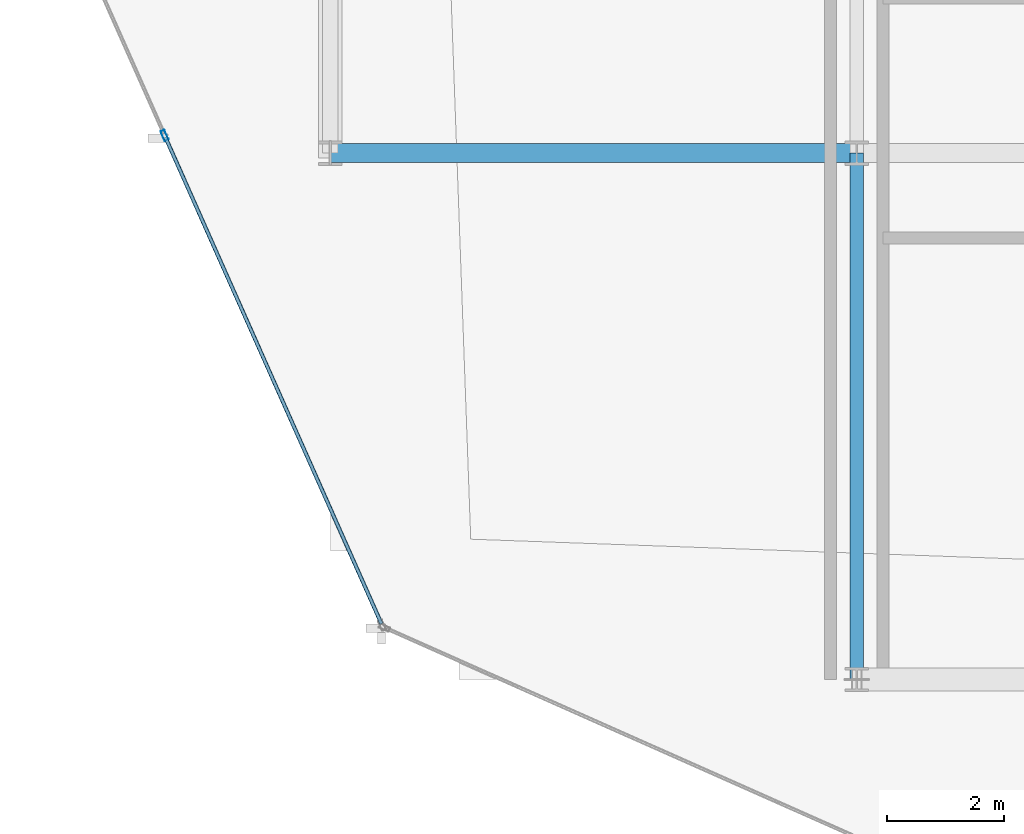
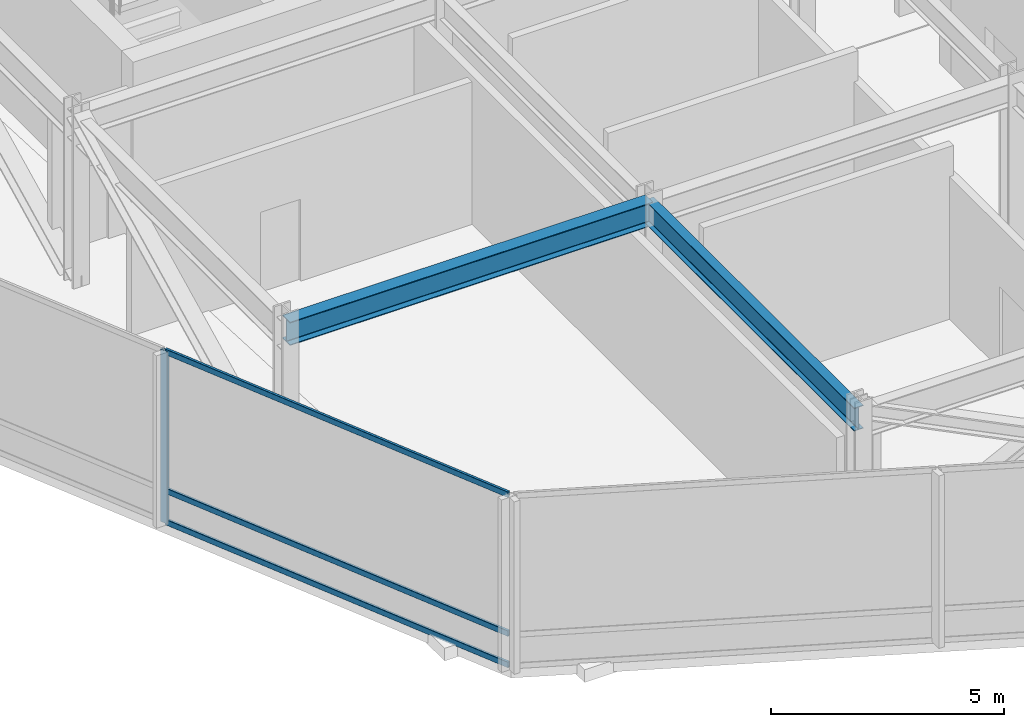
# One storey, part 3 of 30: 4 members, 2 beams, 1 element without a shape of its own.
"""IFC4 building model written with IfcOpenShell, lengths in metres."""

import ifcopenshell
import ifcopenshell.guid

model = None  # the IFC model being written
_history = None  # IfcOwnerHistory: only IFC2X3 demands one
_inside = {}  # id of a spatial element -> (the spatial element, [elements in it])
_under = {}  # id of a project, library or spatial element -> (it, [spatial elements below it])
_declared = {}  # id of a project -> (the project, [libraries it declares])
_typed = {}  # id of a type object -> (the type object, [elements of that type])
_made_of = {}  # id of a material, layer set ... -> (it, [elements and type objects made of it])


def new_model(schema):
    """Start an empty IFC model of exactly this schema.

    Asked for "IFC4X3", IfcOpenShell would pick the latest addendum, in which some entities
    have other attributes; the version numbers below select the first issue.
    IFC2X3 requires an IfcOwnerHistory on every rooted entity: one is made here for all.
    """
    global model, _history
    if schema == "IFC4X3":
        model = ifcopenshell.file(schema_version=(4, 3, 0, 0))
    else:
        model = ifcopenshell.file(schema=schema)
    _inside.clear()
    _under.clear()
    _declared.clear()
    _typed.clear()
    _made_of.clear()
    _history = None
    if model.schema == "IFC2X3":
        org = make("IfcOrganization", Name="unknown")
        user = make(
            "IfcPersonAndOrganization",
            ThePerson=make("IfcPerson", FamilyName="unknown"),
            TheOrganization=org,
        )
        app = make(
            "IfcApplication",
            ApplicationDeveloper=org,
            Version="unknown",
            ApplicationFullName="unknown",
            ApplicationIdentifier="unknown",
        )
        _history = make(
            "IfcOwnerHistory",
            OwningUser=user,
            OwningApplication=app,
            ChangeAction="ADDED",
            CreationDate=0,
        )
    return model


def make(cls, **values):
    """One entity of the class cls with the attributes given. An attribute that is None is left unset."""
    return model.create_entity(
        cls, **{name: value for name, value in values.items() if value is not None}
    )


def rooted(cls, **values):
    """An entity with a GlobalId (a new one), such as an element, a storey or a relation."""
    return make(cls, GlobalId=ifcopenshell.guid.new(), OwnerHistory=_history, **values)


def si_unit(unit_type, name, prefix=None):
    """IfcSIUnit, for example si_unit("LENGTHUNIT", "METRE", prefix="MILLI")."""
    return make("IfcSIUnit", UnitType=unit_type, Prefix=prefix, Name=name)


def assignment(units):
    """IfcUnitAssignment: the units of a project."""
    return None if units is None else make("IfcUnitAssignment", Units=units)


def point(xyz):
    """IfcCartesianPoint."""
    return None if xyz is None else make("IfcCartesianPoint", Coordinates=xyz)


def direction(xyz):
    """IfcDirection."""
    return None if xyz is None else make("IfcDirection", DirectionRatios=xyz)


def frame(location, z_axis=None, x_axis=None):
    """IfcAxis2Placement3D, a coordinate frame: its origin and axes. An axis left out is left unset."""
    return make(
        "IfcAxis2Placement3D",
        Location=point(location),
        Axis=direction(z_axis),
        RefDirection=direction(x_axis),
    )


def frame_2d(location, x_axis=None):
    """IfcAxis2Placement2D, a coordinate frame in the plane: its origin and x axis."""
    return make(
        "IfcAxis2Placement2D", Location=point(location), RefDirection=direction(x_axis)
    )


def origin():
    """The frame at (0, 0, 0) with its axes left unset."""
    return frame((0.0, 0.0, 0.0))


def origin_2d():
    """The frame at (0, 0) in the plane with its x axis left unset."""
    return frame_2d((0.0, 0.0))


def place(relative_to, where):
    """IfcLocalPlacement: puts the frame where relative to a parent placement (None: the world)."""
    return make(
        "IfcLocalPlacement", PlacementRelTo=relative_to, RelativePlacement=where
    )


def context(
    kind, dimensions, precision=None, world=None, true_north=None, identifier=None
):
    """IfcGeometricRepresentationContext, for example the 3D "Model" context."""
    return make(
        "IfcGeometricRepresentationContext",
        ContextIdentifier=identifier,
        ContextType=kind,
        CoordinateSpaceDimension=dimensions,
        Precision=precision,
        WorldCoordinateSystem=world,
        TrueNorth=true_north,
    )


def subcontext(parent, identifier, kind, view, scale=None):
    """IfcGeometricRepresentationSubContext, for example "Body" below "Model"."""
    return make(
        "IfcGeometricRepresentationSubContext",
        ContextIdentifier=identifier,
        ContextType=kind,
        ParentContext=parent,
        TargetScale=scale,
        TargetView=view,
    )


def project(units=None, contexts=None):
    """IfcProject with its units and contexts."""
    return rooted(
        "IfcProject",
        Name="project",
        RepresentationContexts=contexts,
        UnitsInContext=assignment(units),
    )


def spatial(cls, under=None, at=None, **own):
    """A site, building, storey or space (cls), placed at a placement, below another one or the project."""
    s = rooted(cls, ObjectPlacement=at, **own)
    if under is not None:
        _under.setdefault(under.id(), (under, []))[1].append(s)
    return s


def profile(cls, at=None, kind="AREA", **sizes):
    """A parametric profile (cls). Its sizes go by their IFC names, for example OverallWidth=200.0."""
    return make(cls, ProfileType=kind, Position=at, **sizes)


def hollow_rectangle(**sizes):
    """IfcRectangleHollowProfileDef."""
    return profile("IfcRectangleHollowProfileDef", **sizes)


def i_section(**sizes):
    """IfcIShapeProfileDef."""
    return profile("IfcIShapeProfileDef", **sizes)


def extrude(swept, where, along, depth):
    """IfcExtrudedAreaSolid: the profile swept, set in the frame where, extruded along a direction by depth."""
    return make(
        "IfcExtrudedAreaSolid",
        SweptArea=swept,
        Position=where,
        ExtrudedDirection=direction(along),
        Depth=depth,
    )


def shape(context_of_items, identifier, shape_type, items):
    """IfcShapeRepresentation: the items that make up one representation, for example the "Body"."""
    return make(
        "IfcShapeRepresentation",
        ContextOfItems=context_of_items,
        RepresentationIdentifier=identifier,
        RepresentationType=shape_type,
        Items=items,
    )


def material(Name=None, Category=None):
    """IfcMaterial."""
    return make("IfcMaterial", Name=Name, Category=Category)


def layer(
    of_material, thickness, ventilated=None, Name=None, Category=None, Priority=None
):
    """IfcMaterialLayer: one layer of a wall or slab, of a material (None: an air gap)."""
    return make(
        "IfcMaterialLayer",
        Material=of_material,
        LayerThickness=thickness,
        IsVentilated=ventilated,
        Name=Name,
        Category=Category,
        Priority=Priority,
    )


def layer_set(layers, Name=None):
    """IfcMaterialLayerSet."""
    return make("IfcMaterialLayerSet", MaterialLayers=layers, LayerSetName=Name)


def material_profile(
    of_material, cross_section, Name=None, Category=None, Priority=None
):
    """IfcMaterialProfile: a cross section and its material."""
    return make(
        "IfcMaterialProfile",
        Name=Name,
        Material=of_material,
        Profile=cross_section,
        Priority=Priority,
        Category=Category,
    )


def profile_set(profiles, Name=None, composite=None):
    """IfcMaterialProfileSet."""
    return make(
        "IfcMaterialProfileSet",
        Name=Name,
        MaterialProfiles=profiles,
        CompositeProfile=composite,
    )


def made_of(thing, what):
    """Note that an element or type object is made of a material, layer set ...; save() writes the relation."""
    if what is not None:
        _made_of.setdefault(what.id(), (what, []))[1].append(thing)
    return thing


def type_object(cls, material=None, **own):
    """A type object (cls), such as IfcWallType, which elements share."""
    return made_of(rooted(cls, **own), material)


def element(
    cls,
    number,
    at=None,
    inside=None,
    cuts=None,
    type_object=None,
    material=None,
    context=None,
    identifier="Body",
    shape_type=None,
    held_by="IfcProductDefinitionShape",
    body=None,
    shapes=None,
    **own,
):
    """One element of the class cls, such as IfcWall. Its Tag is "e" and its number.

    at: its placement. inside: the storey or other place that contains it. cuts: it is an
    opening in that element (IfcRelVoidsElement). A single representation is given by context,
    identifier, shape_type and body (its items); several are given by shapes. held_by: the class
    of the entity that holds the representations. save() writes the other relations.
    """
    e = rooted(cls, Tag="e%d" % number, ObjectPlacement=at, **own)
    if body is not None:
        shapes = [shape(context, identifier, shape_type, body)]
    if shapes is not None:
        e.Representation = make(held_by, Representations=shapes)
    if inside is not None:
        _inside.setdefault(inside.id(), (inside, []))[1].append(e)
    if cuts is not None:
        rooted(
            "IfcRelVoidsElement", RelatingBuildingElement=cuts, RelatedOpeningElement=e
        )
    if type_object is not None:
        _typed.setdefault(type_object.id(), (type_object, []))[1].append(e)
    return made_of(e, material)


def aggregate(whole, parts):
    """IfcRelAggregates: a whole, such as a stair, and the parts it consists of."""
    return rooted("IfcRelAggregates", RelatingObject=whole, RelatedObjects=parts)


def save(model, path):
    """Write the relations noted so far, then the file.

    IfcRelAggregates (storeys below a building ...), IfcRelContainedInSpatialStructure (elements
    in a storey), IfcRelDefinesByType, IfcRelAssociatesMaterial and IfcRelDeclares: one each for
    every whole, place, type object, material and project.
    """
    for whole, parts in _under.values():
        aggregate(whole, parts)
    for where, things in _inside.values():
        rooted(
            "IfcRelContainedInSpatialStructure",
            RelatedElements=things,
            RelatingStructure=where,
        )
    for kind, things in _typed.values():
        rooted("IfcRelDefinesByType", RelatedObjects=things, RelatingType=kind)
    for what, things in _made_of.values():
        rooted("IfcRelAssociatesMaterial", RelatedObjects=things, RelatingMaterial=what)
    for by, libraries in _declared.values():
        rooted("IfcRelDeclares", RelatingContext=by, RelatedDefinitions=libraries)
    model.write(path)


model = new_model("IFC4")

# Units and contexts
model_context = context("Model", 3, precision=1e-05, world=origin(), true_north=direction((0.0, 1.0)))
body_context = subcontext(model_context, "Body", "Model", "MODEL_VIEW")
ifc_project = project(units=[si_unit("LENGTHUNIT", "METRE"), si_unit("AREAUNIT", "SQUARE_METRE"), si_unit("VOLUMEUNIT", "CUBIC_METRE"), si_unit("PLANEANGLEUNIT", "RADIAN"), si_unit("MASSUNIT", "GRAM", prefix="KILO")], contexts=[model_context])

# Site, building, storey
site_placement = place(None, origin())
site = spatial("IfcSite", under=ifc_project, at=site_placement, CompositionType="ELEMENT")
building_placement = place(site_placement, origin())
building = spatial("IfcBuilding", under=site, at=building_placement, Name="Solvaryn Broadcast Tower", CompositionType="ELEMENT")
storey_placement = place(building_placement, frame((0.0, 0.0, 196.39990234375)))
storey = spatial("IfcBuildingStorey", under=building, at=storey_placement, Name="L49", CompositionType="ELEMENT", Elevation=196.39990234375)

# Beams
ifc_material_1 = material(Name="Steel ASTM A992 Grade 50", Category="steel")
ifc_material_profile_1 = material_profile(ifc_material_1, i_section(OverallWidth=0.323974609375, OverallDepth=0.611083984375, WebThickness=0.0126953125, FlangeThickness=0.01904296875, FilletRadius=0.014892578125, at=origin_2d()))
ifc_profile_set_1 = profile_set([ifc_material_profile_1], Name="Steel ASTM A992 Grade 50")
beam_type_1 = type_object("IfcBeamType", Name="BM-B1-W24X104", PredefinedType="BEAM", material=ifc_profile_set_1)
beam_1_placement = place(storey_placement, frame((9.0, 18.0, 4.214599609375), z_axis=(1.0, 0.0, 0.0), x_axis=(0.0, 1.0, 0.0)))
element("IfcBeam", 1, at=beam_1_placement, inside=storey, type_object=beam_type_1, Name="L49 Primary Beam X (9-18 @ Y=18)", PredefinedType="BEAM", context=body_context, shape_type="SweptSolid", body=[
    extrude(i_section(OverallWidth=0.323974609375, OverallDepth=0.611083984375, WebThickness=0.0126953125, FlangeThickness=0.01904296875, FilletRadius=0.014892578125, at=origin_2d()), origin(), (0.0, 0.0, 1.0), 9.0),
])
ifc_material_2 = material(Name="Steel ASTM A992 Grade 50", Category="steel")
ifc_material_profile_2 = material_profile(ifc_material_2, i_section(OverallWidth=0.22802734375, OverallDepth=0.60791015625, WebThickness=0.01123046875, FlangeThickness=0.017333984375, FilletRadius=0.014892578125, at=origin_2d()))
ifc_profile_set_2 = profile_set([ifc_material_profile_2], Name="Steel ASTM A992 Grade 50")
beam_type_2 = type_object("IfcBeamType", Name="BM-B2-W24X76", PredefinedType="BEAM", material=ifc_profile_set_2)
beam_2_placement = place(storey_placement, frame((18.0, 9.0, 4.216064453125), z_axis=(0.0, 1.0, 0.0), x_axis=(-1.0, 0.0, 0.0)))
element("IfcBeam", 2, at=beam_2_placement, inside=storey, type_object=beam_type_2, Name="L49 Primary Beam Y (9-18 @ X=18)", PredefinedType="BEAM", context=body_context, shape_type="SweptSolid", body=[
    extrude(i_section(OverallWidth=0.22802734375, OverallDepth=0.60791015625, WebThickness=0.01123046875, FlangeThickness=0.017333984375, FilletRadius=0.014892578125, at=origin_2d()), origin(), (0.0, 0.0, 1.0), 9.0),
])

# Curtain wall, members
ifc_material_3 = material(Name="Aluminium and Terracotta Unitised Curtain Wall", Category="masonry")
ifc_layer = layer(ifc_material_3, 0.199951171875)
ifc_layer_set = layer_set([ifc_layer], Name="CW-SYS2-LOWMID")
curtain_wall_type = type_object("IfcCurtainWallType", Name="CW-SYS2-LOWMID", PredefinedType="NOTDEFINED", material=ifc_layer_set)
curtain_wall_placement = place(storey_placement, origin())
curtain_wall = element("IfcCurtainWall", 3, at=curtain_wall_placement, inside=storey, type_object=curtain_wall_type, Name="L49 Curtain Wall DR2", PredefinedType="NOTDEFINED")
ifc_material_4 = material(Name="Anodised Aluminium 6063-T6", Category="aluminium")
ifc_material_profile_3 = material_profile(ifc_material_4, hollow_rectangle(XDim=0.074951171875, YDim=0.179931640625, WallThickness=0.00390625, InnerFilletRadius=0.00390625, OuterFilletRadius=0.008056640625, at=origin_2d()))
ifc_profile_set_3 = profile_set([ifc_material_profile_3], Name="Anodised Aluminium 6063-T6")
member_type_1 = type_object("IfcMemberType", Name="CW-MUL-180", PredefinedType="MULLION", material=ifc_profile_set_3)
member_1_placement = place(storey_placement, frame((6.16552734375, 18.302001953125, 0.0), z_axis=(0.0, 0.0, 1.0), x_axis=(0.913916902365, 0.405901337237, 0.0)))
member_1 = element("IfcMember", 4, at=member_1_placement, type_object=member_type_1, Name="CWS2 mullion 2", PredefinedType="MULLION", context=body_context, shape_type="SweptSolid", body=[
    extrude(hollow_rectangle(XDim=0.074951171875, YDim=0.179931640625, WallThickness=0.00390625, InnerFilletRadius=0.00390625, OuterFilletRadius=0.008056640625, at=origin_2d()), origin(), (0.0, 0.0, 1.0), 4.52001953125),
])
ifc_material_5 = material(Name="Anodised Aluminium 6063-T6", Category="aluminium")
ifc_material_profile_4 = material_profile(ifc_material_5, hollow_rectangle(XDim=0.06494140625, YDim=0.14990234375, WallThickness=0.00390625, InnerFilletRadius=0.00390625, OuterFilletRadius=0.008056640625, at=origin_2d()))
ifc_profile_set_4 = profile_set([ifc_material_profile_4], Name="Anodised Aluminium 6063-T6")
member_type_2 = type_object("IfcMemberType", Name="CW-TRN-150", PredefinedType="USERDEFINED", material=ifc_profile_set_4)
member_2_placement = place(storey_placement, frame((6.177734375, 18.274658203125, 0.030029296875), z_axis=(0.405884700935, -0.913924290927, 0.0), x_axis=(0.913924290927, 0.405884700935, 0.0)))
member_2 = element("IfcMember", 5, at=member_2_placement, type_object=member_type_2, Name="CWS2 transom 2.1", ObjectType="TRANSOM", PredefinedType="USERDEFINED", context=body_context, shape_type="SweptSolid", body=[
    extrude(hollow_rectangle(XDim=0.06494140625, YDim=0.14990234375, WallThickness=0.00390625, InnerFilletRadius=0.00390625, OuterFilletRadius=0.008056640625, at=origin_2d()), origin(), (0.0, 0.0, 1.0), 9.10546875),
])
member_3_placement = place(storey_placement, frame((6.177734375, 18.274658203125, 0.85009765625), z_axis=(0.405884700935, -0.913924290927, 0.0), x_axis=(0.913924290927, 0.405884700935, 0.0)))
member_3 = element("IfcMember", 6, at=member_3_placement, type_object=member_type_2, Name="CWS2 transom 2.2", ObjectType="TRANSOM", PredefinedType="USERDEFINED", context=body_context, shape_type="SweptSolid", body=[
    extrude(hollow_rectangle(XDim=0.06494140625, YDim=0.14990234375, WallThickness=0.00390625, InnerFilletRadius=0.00390625, OuterFilletRadius=0.008056640625, at=origin_2d()), origin(), (0.0, 0.0, 1.0), 9.10546875),
])
member_4_placement = place(storey_placement, frame((6.177734375, 18.274658203125, 4.489990234375), z_axis=(0.405884700935, -0.913924290927, 0.0), x_axis=(0.913924290927, 0.405884700935, 0.0)))
member_4 = element("IfcMember", 7, at=member_4_placement, type_object=member_type_2, Name="CWS2 transom 2.3", ObjectType="TRANSOM", PredefinedType="USERDEFINED", context=body_context, shape_type="SweptSolid", body=[
    extrude(hollow_rectangle(XDim=0.06494140625, YDim=0.14990234375, WallThickness=0.00390625, InnerFilletRadius=0.00390625, OuterFilletRadius=0.008056640625, at=origin_2d()), origin(), (0.0, 0.0, 1.0), 9.10546875),
])
aggregate(curtain_wall, [member_1, member_2, member_3, member_4])

save(model, "model.ifc")
